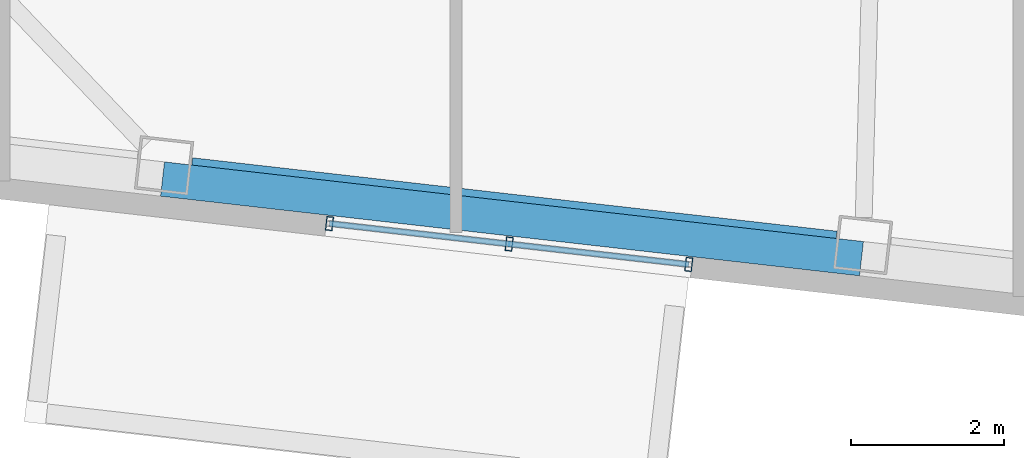
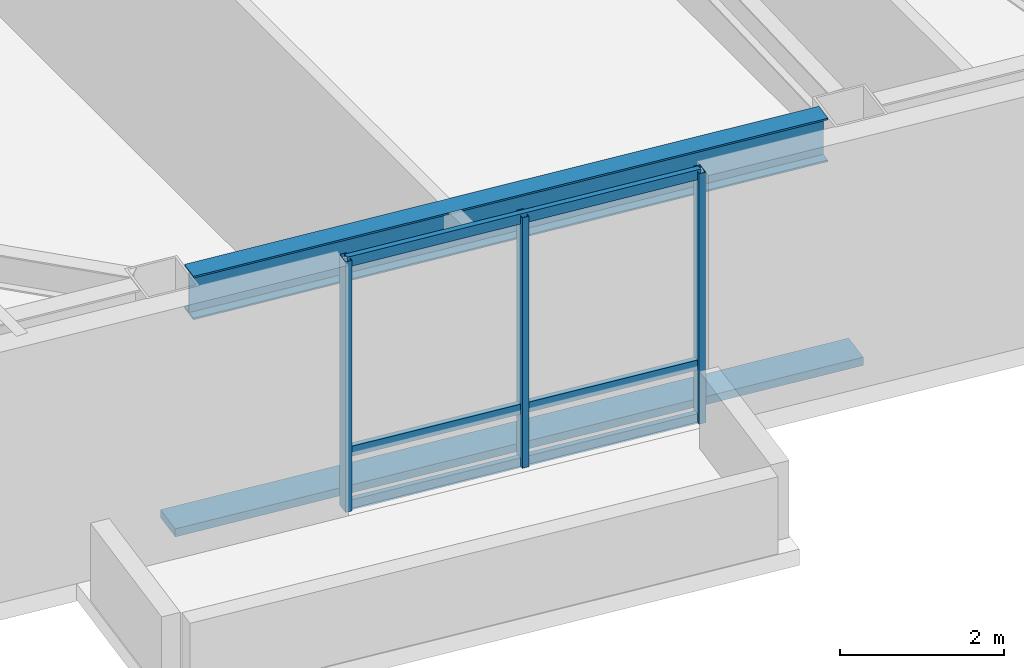
# One storey, part 2 of 20: 7 members, 1 beam, 1 element without a shape of its own.
"""IFC4 building model written with IfcOpenShell, lengths in metres."""

from ifc_helpers import new_model, si_unit, direction, frame, origin, origin_2d, place, context, subcontext, project, spatial, rectangle, hollow_rectangle, i_section, extrude, material, layer, layer_set, material_profile, profile_set, type_object, element, aggregate, save


model = new_model("IFC4")

# Units and contexts
model_context = context("Model", 3, precision=1e-05, world=origin(), true_north=direction((0.0, 1.0)))
body_context = subcontext(model_context, "Body", "Model", "MODEL_VIEW")
ifc_project = project(units=[si_unit("LENGTHUNIT", "METRE"), si_unit("AREAUNIT", "SQUARE_METRE"), si_unit("VOLUMEUNIT", "CUBIC_METRE"), si_unit("PLANEANGLEUNIT", "RADIAN"), si_unit("MASSUNIT", "GRAM", prefix="KILO")], contexts=[model_context])

# Site, building, storey
site_placement = place(None, origin())
site = spatial("IfcSite", under=ifc_project, at=site_placement, CompositionType="ELEMENT")
building_placement = place(site_placement, origin())
building = spatial("IfcBuilding", under=site, at=building_placement, Name="Tavrogorsk Clinical Tower", CompositionType="ELEMENT")
storey_placement = place(building_placement, frame((0.0, 0.0, 105.39990234375)))
storey = spatial("IfcBuildingStorey", under=building, at=storey_placement, Name="L23", CompositionType="ELEMENT", Elevation=105.39990234375)

# Member
ifc_material_1 = material(Name="Anodised aluminium alloy AW-6063", Category="aluminium")
ifc_material_profile_1 = material_profile(ifc_material_1, rectangle(XDim=0.449951171875, YDim=0.1201171875, at=origin_2d()), Name="ALU-SUNSHADE-450x120")
ifc_profile_set_1 = profile_set([ifc_material_profile_1], Name="Anodised aluminium alloy AW-6063")
member_type_1 = type_object("IfcMemberType", Name="ChicagoSunshade_450x120", PredefinedType="USERDEFINED", material=ifc_profile_set_1)
member_1_placement = place(storey_placement, frame((-14.028076171875, -24.385498046875, 0.18017578125), z_axis=(0.993572654864, -0.113196199166, 0.0), x_axis=(0.113196199166, 0.993572654864, 0.0)))
element("IfcMember", 1, at=member_1_placement, inside=storey, type_object=member_type_1, Name="L23 South Aluminium Sunshade S3", ObjectType="SUNSHADE", PredefinedType="USERDEFINED", context=body_context, shape_type="SweptSolid", body=[
    extrude(rectangle(XDim=0.449951171875, YDim=0.1201171875, at=origin_2d()), origin(), (0.0, 0.0, 1.0), 9.17724609375),
])

# Curtain wall, members
ifc_material_2 = material(Name="Anodised aluminium and triple IGU glazing", Category="aluminium")
ifc_layer = layer(ifc_material_2, 0.179931640625)
ifc_layer_set = layer_set([ifc_layer], Name="Anodised aluminium and triple IGU glazing")
curtain_wall_type = type_object("IfcCurtainWallType", Name="CW3_SouthSlot", PredefinedType="NOTDEFINED", material=ifc_layer_set)
curtain_wall_placement = place(storey_placement, origin())
curtain_wall = element("IfcCurtainWall", 2, at=curtain_wall_placement, inside=storey, type_object=curtain_wall_type, Name="L23 Curtain Wall CW-L23-S-SLOT-1", PredefinedType="NOTDEFINED")
ifc_material_3 = material(Name="Anodised aluminium alloy AW-6060", Category="aluminium")
ifc_material_profile_2 = material_profile(ifc_material_3, hollow_rectangle(XDim=0.090087890625, YDim=0.179931640625, WallThickness=0.00634765625, at=origin_2d()), Name="RHS-180x90x6.3")
ifc_profile_set_2 = profile_set([ifc_material_profile_2], Name="Anodised aluminium alloy AW-6060")
member_type_2 = type_object("IfcMemberType", Name="CwMullion_180x90", PredefinedType="MULLION", material=ifc_profile_set_2)
member_2_placement = place(storey_placement, frame((-11.850341796875, -24.9658203125, 0.0), z_axis=(0.0, 0.0, 1.0), x_axis=(0.993571855603, -0.11320321441, 0.0)))
member_2 = element("IfcMember", 3, at=member_2_placement, type_object=member_type_2, Name="CW-L23-S-SLOT-1 Mullion 1", PredefinedType="MULLION", context=body_context, shape_type="SweptSolid", body=[
    extrude(hollow_rectangle(XDim=0.090087890625, YDim=0.179931640625, WallThickness=0.00634765625, at=origin_2d()), origin(), (0.0, 0.0, 1.0), 3.739990234375),
])
member_3_placement = place(storey_placement, frame((-9.50634765625, -25.23291015625, 0.0), z_axis=(0.0, 0.0, 1.0), x_axis=(0.993571855603, -0.11320321441, 0.0)))
member_3 = element("IfcMember", 4, at=member_3_placement, type_object=member_type_2, Name="CW-L23-S-SLOT-1 Mullion 2", PredefinedType="MULLION", context=body_context, shape_type="SweptSolid", body=[
    extrude(hollow_rectangle(XDim=0.090087890625, YDim=0.179931640625, WallThickness=0.00634765625, at=origin_2d()), origin(), (0.0, 0.0, 1.0), 3.739990234375),
])
member_4_placement = place(storey_placement, frame((-7.16259765625, -25.499755859375, 0.0), z_axis=(0.0, 0.0, 1.0), x_axis=(0.993571855603, -0.11320321441, 0.0)))
member_4 = element("IfcMember", 5, at=member_4_placement, type_object=member_type_2, Name="CW-L23-S-SLOT-1 Mullion 3", PredefinedType="MULLION", context=body_context, shape_type="SweptSolid", body=[
    extrude(hollow_rectangle(XDim=0.090087890625, YDim=0.179931640625, WallThickness=0.00634765625, at=origin_2d()), origin(), (0.0, 0.0, 1.0), 3.739990234375),
])
ifc_material_4 = material(Name="Anodised aluminium alloy AW-6060", Category="aluminium")
ifc_material_profile_3 = material_profile(ifc_material_4, hollow_rectangle(XDim=0.074951171875, YDim=0.14990234375, WallThickness=0.0048828125, at=origin_2d()), Name="RHS-150x75x5")
ifc_profile_set_3 = profile_set([ifc_material_profile_3], Name="Anodised aluminium alloy AW-6060")
member_type_3 = type_object("IfcMemberType", Name="CwTransom_150x75", PredefinedType="USERDEFINED", material=ifc_profile_set_3)
member_5_placement = place(storey_placement, frame((-11.850341796875, -24.9658203125, 0.050048828125), z_axis=(0.993575798904, -0.113168599146, 0.0), x_axis=(0.113168599146, 0.993575798904, 0.0)))
member_5 = element("IfcMember", 6, at=member_5_placement, type_object=member_type_3, Name="CW-L23-S-SLOT-1 Transom 1", ObjectType="TRANSOM", PredefinedType="USERDEFINED", context=body_context, shape_type="SweptSolid", body=[
    extrude(hollow_rectangle(XDim=0.074951171875, YDim=0.14990234375, WallThickness=0.0048828125, at=origin_2d()), origin(), (0.0, 0.0, 1.0), 4.718017578125),
])
member_6_placement = place(storey_placement, frame((-11.850341796875, -24.9658203125, 0.85009765625), z_axis=(0.993575798904, -0.113168599146, 0.0), x_axis=(0.113168599146, 0.993575798904, 0.0)))
member_6 = element("IfcMember", 7, at=member_6_placement, type_object=member_type_3, Name="CW-L23-S-SLOT-1 Transom 2", ObjectType="TRANSOM", PredefinedType="USERDEFINED", context=body_context, shape_type="SweptSolid", body=[
    extrude(hollow_rectangle(XDim=0.074951171875, YDim=0.14990234375, WallThickness=0.0048828125, at=origin_2d()), origin(), (0.0, 0.0, 1.0), 4.718017578125),
])
member_7_placement = place(storey_placement, frame((-11.850341796875, -24.9658203125, 3.690185546875), z_axis=(0.993575798904, -0.113168599146, 0.0), x_axis=(0.113168599146, 0.993575798904, 0.0)))
member_7 = element("IfcMember", 8, at=member_7_placement, type_object=member_type_3, Name="CW-L23-S-SLOT-1 Transom 3", ObjectType="TRANSOM", PredefinedType="USERDEFINED", context=body_context, shape_type="SweptSolid", body=[
    extrude(hollow_rectangle(XDim=0.074951171875, YDim=0.14990234375, WallThickness=0.0048828125, at=origin_2d()), origin(), (0.0, 0.0, 1.0), 4.718017578125),
])
aggregate(curtain_wall, [member_2, member_3, member_4, member_5, member_6, member_7])

# Beam
ifc_material_5 = material(Name="Structural steel S390", Category="steel")
ifc_material_profile_4 = material_profile(ifc_material_5, i_section(OverallWidth=0.280029296875, OverallDepth=0.64990234375, WebThickness=0.01611328125, FlangeThickness=0.02490234375, at=origin_2d()), Name="B-650x280x16x25")
ifc_profile_set_4 = profile_set([ifc_material_profile_4], Name="Structural steel S390")
beam_type = type_object("IfcBeamType", Name="SpandrelBeam_B650", PredefinedType="SPANDREL", material=ifc_profile_set_4)
beam_placement = place(storey_placement, frame((-13.652099609375, -24.2470703125, 3.4150390625), z_axis=(0.993569449752, -0.113224328304, 0.0), x_axis=(0.113224328304, 0.993569449752, 0.0)))
element("IfcBeam", 9, at=beam_placement, inside=storey, type_object=beam_type, Name="L23 Perimeter Spandrel S3-S4", PredefinedType="SPANDREL", context=body_context, shape_type="SweptSolid", body=[
    extrude(i_section(OverallWidth=0.280029296875, OverallDepth=0.64990234375, WebThickness=0.01611328125, FlangeThickness=0.02490234375, at=origin_2d()), origin(), (0.0, 0.0, 1.0), 8.461181640625),
])

save(model, "model.ifc")
